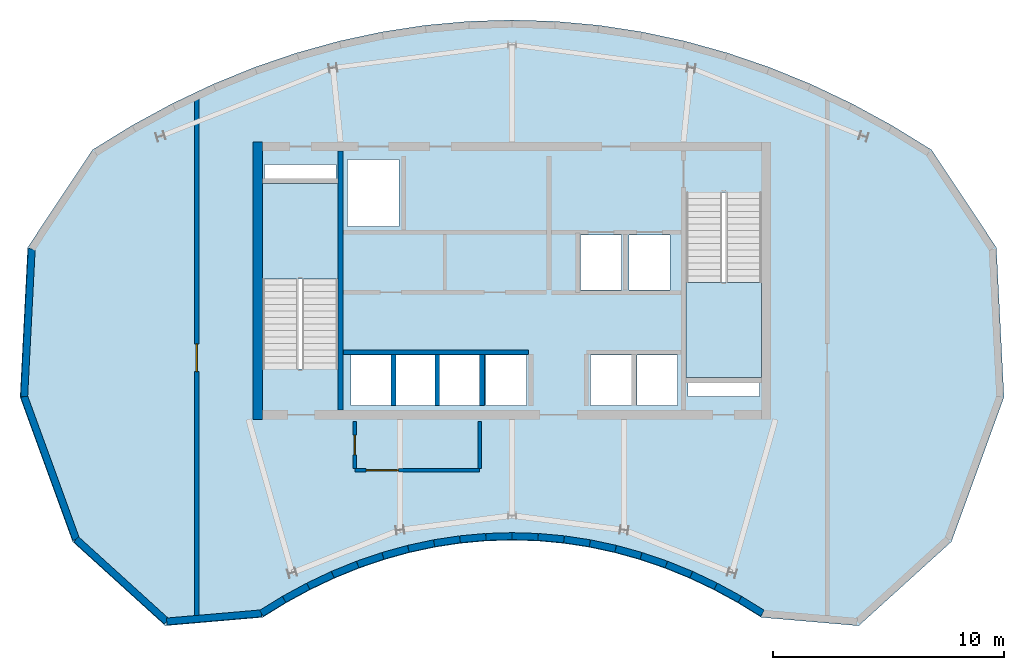
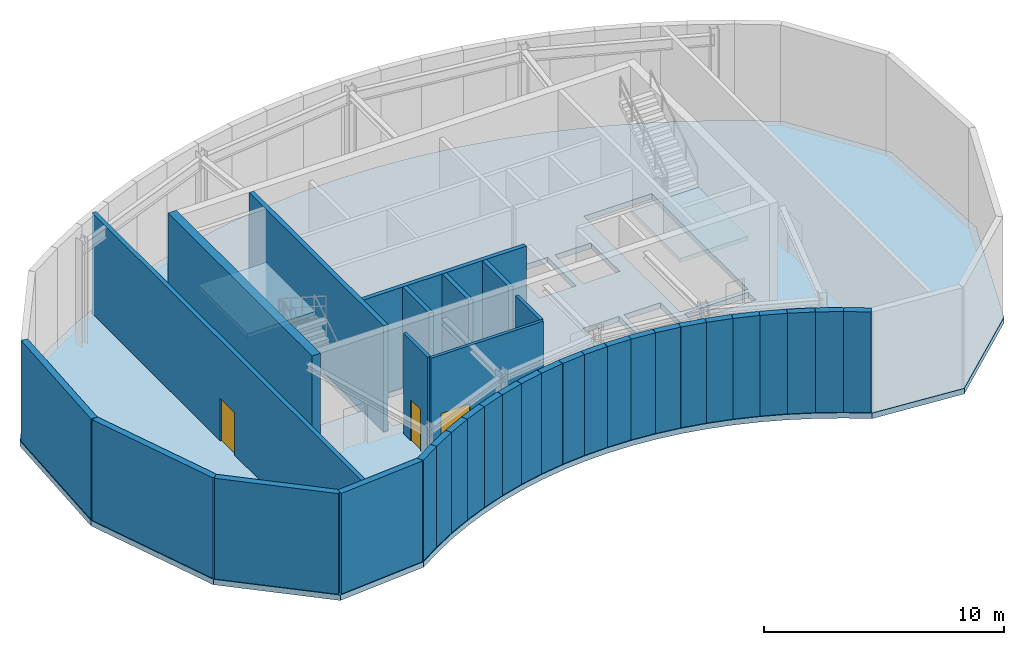
# One storey, part 2 of 5: 34 walls, 3 doors, 3 slabs, 3 openings, 2 elements without a shape of their own.
"""IFC4 building model written with IfcOpenShell, lengths in metres."""

from ifc_helpers import new_model, si_unit, direction, frame, frame_2d, origin, place, context, subcontext, project, spatial, polyline, rectangle, outline, extrude, source, transform, mapped, material, layer, layer_set, type_object, type_shapes, element, fill, aggregate, save


model = new_model("IFC4")

# Units and contexts
model_context = context("Model", 3, precision=1e-05, world=origin(), true_north=direction((0.0, 1.0)))
body_context = subcontext(model_context, "Body", "Model", "MODEL_VIEW")
ifc_project = project(units=[si_unit("LENGTHUNIT", "METRE"), si_unit("AREAUNIT", "SQUARE_METRE"), si_unit("VOLUMEUNIT", "CUBIC_METRE"), si_unit("PLANEANGLEUNIT", "RADIAN"), si_unit("MASSUNIT", "GRAM", prefix="KILO")], contexts=[model_context])

# Site, building, storey
site_placement = place(None, origin())
site = spatial("IfcSite", under=ifc_project, at=site_placement, CompositionType="ELEMENT")
building_placement = place(site_placement, origin())
building = spatial("IfcBuilding", under=site, at=building_placement, Name="Breltana Convention Tower", CompositionType="ELEMENT")
storey_placement = place(building_placement, frame((0.0, 0.0, 318.0)))
storey = spatial("IfcBuildingStorey", under=building, at=storey_placement, Name="L77", CompositionType="ELEMENT", Elevation=318.0)

# Slab
ifc_material_1 = material(Name="Concrete C40/50", Category="concrete")
ifc_layer_1 = layer(ifc_material_1, 0.280029296875, Name="Concrete C40/50")
ifc_layer_set_1 = layer_set([ifc_layer_1], Name="Concrete C40/50")
slab_type_1 = type_object("IfcSlabType", Name="SL-CRN-280", PredefinedType="FLOOR", material=ifc_layer_set_1)
slab_1_placement = place(storey_placement, frame((0.0, 0.0, -0.280029296875)))
element("IfcSlab", 1, at=slab_1_placement, inside=storey, type_object=slab_type_1, Name="L77 Suspended Structural Floor Slab", PredefinedType="FLOOR", context=body_context, shape_type="SweptSolid", body=[
    extrude(outline(polyline([(66.148681640625, 71.861572265625), (64.44189453125, 72.913330078125), (62.701416015625, 73.8603515625), (60.9306640625, 74.70068359375), (59.13330078125, 75.432373046875), (57.31298828125, 76.05419921875), (55.473388671875, 76.564697265625), (53.61865234375, 76.962646484375), (51.752197265625, 77.247802734375), (49.8779296875, 77.4189453125), (48.0, 77.47607421875), (46.1220703125, 77.4189453125), (44.247802734375, 77.247802734375), (42.38134765625, 76.962646484375), (40.526611328125, 76.564697265625), (38.68701171875, 76.05419921875), (36.86669921875, 75.432373046875), (35.0693359375, 74.70068359375), (33.298583984375, 73.8603515625), (31.55810546875, 72.913330078125), (29.851318359375, 71.861572265625), (27.041748046875, 67.63330078125), (26.711669921875, 61.156005859375), (28.9873046875, 54.9033203125), (32.999755859375, 51.263916015625), (37.216064453125, 51.627685546875), (38.230224609375, 52.2529296875), (39.264404296875, 52.815673828125), (40.316650390625, 53.31494140625), (41.384521484375, 53.749755859375), (42.46630859375, 54.119140625), (43.55908203125, 54.42236328125), (44.661376953125, 54.658935546875), (45.7705078125, 54.828369140625), (46.884033203125, 54.93017578125), (48.0, 54.964111328125), (49.115966796875, 54.93017578125), (50.2294921875, 54.828369140625), (51.338623046875, 54.658935546875), (52.44091796875, 54.42236328125), (53.53369140625, 54.119140625), (54.615478515625, 53.749755859375), (55.683349609375, 53.31494140625), (56.735595703125, 52.815673828125), (57.769775390625, 52.2529296875), (58.783935546875, 51.627685546875), (63.000244140625, 51.263916015625), (67.0126953125, 54.9033203125), (69.288330078125, 61.156005859375), (68.958251953125, 67.63330078125), (66.148681640625, 71.861572265625)]), holes=[polyline([(37.199951171875, 62.385009765625), (40.469970703125, 62.385009765625), (40.469970703125, 70.39990234375), (37.199951171875, 70.39990234375), (37.199951171875, 62.385009765625)]), polyline([(55.530029296875, 62.0), (58.800048828125, 62.0), (58.800048828125, 70.014892578125), (55.530029296875, 70.014892578125), (55.530029296875, 62.0)]), polyline([(41.0400390625, 60.800048828125), (42.800048828125, 60.800048828125), (42.800048828125, 62.97998046875), (41.0400390625, 62.97998046875), (41.0400390625, 60.800048828125)]), polyline([(42.93994140625, 60.800048828125), (44.699951171875, 60.800048828125), (44.699951171875, 62.97998046875), (42.93994140625, 62.97998046875), (42.93994140625, 60.800048828125)]), polyline([(44.8701171875, 60.800048828125), (46.6298828125, 60.800048828125), (46.6298828125, 62.97998046875), (44.8701171875, 62.97998046875), (44.8701171875, 60.800048828125)]), polyline([(46.8701171875, 60.800048828125), (48.6298828125, 60.800048828125), (48.6298828125, 62.97998046875), (46.8701171875, 62.97998046875), (46.8701171875, 60.800048828125)]), polyline([(51.39990234375, 60.800048828125), (53.159912109375, 60.800048828125), (53.159912109375, 62.97998046875), (51.39990234375, 62.97998046875), (51.39990234375, 60.800048828125)]), polyline([(53.39990234375, 60.800048828125), (55.159912109375, 60.800048828125), (55.159912109375, 62.97998046875), (53.39990234375, 62.97998046875), (53.39990234375, 60.800048828125)]), polyline([(50.969970703125, 65.800048828125), (52.72998046875, 65.800048828125), (52.72998046875, 68.179931640625), (50.969970703125, 68.179931640625), (50.969970703125, 65.800048828125)]), polyline([(53.070068359375, 65.800048828125), (54.830078125, 65.800048828125), (54.830078125, 68.179931640625), (53.070068359375, 68.179931640625), (53.070068359375, 65.800048828125)]), polyline([(40.8798828125, 68.550048828125), (43.1201171875, 68.550048828125), (43.1201171875, 71.449951171875), (40.8798828125, 71.449951171875), (40.8798828125, 68.550048828125)]), polyline([(37.300048828125, 70.60009765625), (40.3798828125, 70.60009765625), (40.3798828125, 71.219970703125), (37.300048828125, 71.219970703125), (37.300048828125, 70.60009765625)]), polyline([(55.6201171875, 61.179931640625), (58.699951171875, 61.179931640625), (58.699951171875, 61.800048828125), (55.6201171875, 61.800048828125), (55.6201171875, 61.179931640625)])]), origin(), (0.0, 0.0, 1.0), 0.280029296875),
])

# Stair, slab
stair_type = type_object("IfcStairType", Name="ST-DOG-1560-R180", PredefinedType="HALF_TURN_STAIR", material=ifc_material_1)
stair_1_placement = place(storey_placement, origin())
stair_1 = element("IfcStair", 2, at=stair_1_placement, inside=storey, type_object=stair_type, Name="L77 Protected Core Exit Stair ST-1", PredefinedType="HALF_TURN_STAIR")
ifc_layer_2 = layer(ifc_material_1, 0.199951171875, Name="Concrete C40/50")
ifc_layer_set_2 = layer_set([ifc_layer_2], Name="Concrete C40/50")
slab_type_2 = type_object("IfcSlabType", Name="SL-STAIR-LANDING-200", PredefinedType="LANDING", material=ifc_layer_set_2)
slab_2_placement = place(storey_placement, frame((0.0, 0.0, 2.5)))
slab_2 = element("IfcSlab", 3, at=slab_2_placement, type_object=slab_type_2, Name="ST-1 landing 1", PredefinedType="LANDING", context=body_context, shape_type="SweptSolid", body=[
    extrude(outline(polyline([(40.469970703125, 66.280029296875), (40.469970703125, 70.39990234375), (37.199951171875, 70.39990234375), (37.199951171875, 66.280029296875), (40.469970703125, 66.280029296875)])), origin(), (0.0, 0.0, 1.0), 0.199951171875),
])
aggregate(stair_1, [slab_2])

stair_2_placement = place(storey_placement, origin())
stair_2 = element("IfcStair", 4, at=stair_2_placement, inside=storey, type_object=stair_type, Name="L77 Protected Core Exit Stair ST-2", PredefinedType="HALF_TURN_STAIR")
slab_3_placement = place(storey_placement, frame((0.0, 0.0, 2.5)))
slab_3 = element("IfcSlab", 5, at=slab_3_placement, type_object=slab_type_2, Name="ST-2 landing 1", PredefinedType="LANDING", context=body_context, shape_type="SweptSolid", body=[
    extrude(outline(polyline([(55.530029296875, 66.1201171875), (55.530029296875, 62.0), (58.800048828125, 62.0), (58.800048828125, 66.1201171875), (55.530029296875, 66.1201171875)])), origin(), (0.0, 0.0, 1.0), 0.199951171875),
])
aggregate(stair_2, [slab_3])

# Walls
ifc_material_2 = material(Name="Concrete C50/60", Category="concrete")
ifc_layer_3 = layer(ifc_material_2, 0.39990234375, Name="Concrete C50/60")
ifc_layer_set_3 = layer_set([ifc_layer_3], Name="Concrete C50/60")
wall_type_1 = type_object("IfcWallType", Name="SW-CORE-400", PredefinedType="SHEAR", material=ifc_layer_set_3)
shared_shape_1 = source(origin(), body_context, "Body", "SweptSolid", [
    extrude(rectangle(XDim=12.0, YDim=0.39990234375, at=frame_2d((6.0, 0.0))), origin(), (0.0, 0.0, 1.0), 5.39990234375),
])
wall_1_placement = place(storey_placement, frame((37.0, 60.199951171875, 0.0), z_axis=(0.0, 0.0, 1.0), x_axis=(0.0, 1.0, 0.0)))
element("IfcWall", 6, at=wall_1_placement, inside=storey, type_object=wall_type_1, Name="L77 West Core Shear Wall", PredefinedType="SHEAR", context=body_context, shape_type="MappedRepresentation", body=[
    mapped(shared_shape_1, transform((0.0, 0.0, 0.0), scale=1.0)),
])
shared_shape_2 = source(origin(), body_context, "Body", "SweptSolid", [
    extrude(rectangle(XDim=11.199951171875, YDim=0.219970703125, at=frame_2d((5.60009765625, 0.0))), origin(), (0.0, 0.0, 1.0), 5.39990234375),
])
wall_2_placement = place(storey_placement, frame((40.580078125, 60.60009765625, 0.0), z_axis=(0.0, 0.0, 1.0), x_axis=(0.0, 1.0, 0.0)))
element("IfcWall", 7, at=wall_2_placement, inside=storey, type_object=wall_type_1, Name="L77 Core West Stair Spine Wall", PredefinedType="SHEAR", context=body_context, shape_type="MappedRepresentation", body=[
    mapped(shared_shape_2, transform((0.0, 0.0, 0.0), scale=1.0)),
])
ifc_material_3 = material(Name="Limestone Buff Insulated Wall", Category="masonry")
ifc_layer_4 = layer(ifc_material_3, 0.300048828125, Name="Limestone Buff Insulated Wall")
ifc_layer_set_4 = layer_set([ifc_layer_4], Name="Limestone Buff Insulated Wall")
wall_type_2 = type_object("IfcWallType", Name="WL-EXT-CRN-300", PredefinedType="SOLIDWALL", material=ifc_layer_set_4)
shared_shape_3 = source(origin(), body_context, "Body", "SweptSolid", [
    extrude(rectangle(XDim=6.39990234375, YDim=0.300048828125, at=frame_2d((3.199951171875, 0.0))), origin(), (0.0, 0.0, 1.0), 5.1201171875),
])
wall_3_placement = place(storey_placement, frame((26.893310546875, 61.183349609375, 0.0), z_axis=(0.0, 0.0, 1.0), x_axis=(0.050888906156, 0.998704320222, 0.0)))
element("IfcWall", 8, at=wall_3_placement, inside=storey, type_object=wall_type_2, Name="L77 mechanical limestone enclosure wall 48", PredefinedType="SOLIDWALL", context=body_context, shape_type="MappedRepresentation", body=[
    mapped(shared_shape_3, transform((0.0, 0.0, 0.0), scale=1.0)),
])
shared_shape_4 = source(origin(), body_context, "Body", "SweptSolid", [
    extrude(rectangle(XDim=6.572998046875, YDim=0.300048828125, at=frame_2d((3.28662109375, 0.0))), origin(), (0.0, 0.0, 1.0), 5.1201171875),
])
wall_4_placement = place(storey_placement, frame((29.141357421875, 55.0068359375, 0.0), z_axis=(0.0, 0.0, 1.0), x_axis=(-0.342017422465, 0.939693611094, 0.0)))
element("IfcWall", 9, at=wall_4_placement, inside=storey, type_object=wall_type_2, Name="L77 mechanical limestone enclosure wall 47", PredefinedType="SOLIDWALL", context=body_context, shape_type="MappedRepresentation", body=[
    mapped(shared_shape_4, transform((0.0, 0.0, 0.0), scale=1.0)),
])
shared_shape_5 = source(origin(), body_context, "Body", "SweptSolid", [
    extrude(rectangle(XDim=5.2939453125, YDim=0.300048828125, at=frame_2d((2.64697265625, 0.0))), origin(), (0.0, 0.0, 1.0), 5.1201171875),
])
wall_5_placement = place(storey_placement, frame((33.0625, 51.4501953125, 0.0), z_axis=(0.0, 0.0, 1.0), x_axis=(-0.740695017527, 0.671841418052, 0.0)))
element("IfcWall", 10, at=wall_5_placement, inside=storey, type_object=wall_type_2, Name="L77 mechanical limestone enclosure wall 46", PredefinedType="SOLIDWALL", context=body_context, shape_type="MappedRepresentation", body=[
    mapped(shared_shape_5, transform((0.0, 0.0, 0.0), scale=1.0)),
])
shared_shape_6 = source(origin(), body_context, "Body", "SweptSolid", [
    extrude(rectangle(XDim=4.110595703125, YDim=0.300048828125, at=frame_2d((2.05517578125, 0.0))), origin(), (0.0, 0.0, 1.0), 5.1201171875),
])
wall_6_placement = place(storey_placement, frame((37.157958984375, 51.803466796875, 0.0), z_axis=(0.0, 0.0, 1.0), x_axis=(-0.996300298771, -0.085940180764, 0.0)))
element("IfcWall", 11, at=wall_6_placement, inside=storey, type_object=wall_type_2, Name="L77 mechanical limestone enclosure wall 45", PredefinedType="SOLIDWALL", context=body_context, shape_type="MappedRepresentation", body=[
    mapped(shared_shape_6, transform((0.0, 0.0, 0.0), scale=1.0)),
])
shared_shape_7 = source(origin(), body_context, "Body", "SweptSolid", [
    extrude(rectangle(XDim=1.1484375, YDim=0.300048828125, at=frame_2d((0.57421875, 0.0))), origin(), (0.0, 0.0, 1.0), 5.1201171875),
])
for number, where, z_axis, x_axis, name in (
    (12, (58.842041015625, 51.803466796875, 0.0), (0.0, 0.0, 1.0), (-0.851337023233, 0.524619169373, 0.0), "L77 mechanical limestone enclosure wall 6"),
    (13, (38.1357421875, 52.406005859375, 0.0), (0.0, 0.0, 1.0), (-0.851337023233, -0.524619169373, 0.0), "L77 mechanical limestone enclosure wall 44"),
):
    element("IfcWall", number, at=place(storey_placement, frame(where, z_axis=z_axis, x_axis=x_axis)), inside=storey, type_object=wall_type_2, Name=name, PredefinedType="SOLIDWALL", context=body_context, shape_type="MappedRepresentation", body=[
        mapped(shared_shape_7, transform((0.0, 0.0, 0.0), scale=1.0)),
    ])
shared_shape_8 = source(origin(), body_context, "Body", "SweptSolid", [
    extrude(rectangle(XDim=1.177490234375, YDim=0.300048828125, at=frame_2d((0.5888671875, 0.0))), origin(), (0.0, 0.0, 1.0), 5.1201171875),
])
for number, where, z_axis, x_axis, name in (
    (14, (57.855712890625, 52.410888671875, 0.0), (0.0, 0.0, 1.0), (-0.878378526195, 0.477965652238, 0.0), "L77 mechanical limestone enclosure wall 8"),
    (15, (39.178466796875, 52.9736328125, 0.0), (0.0, 0.0, 1.0), (-0.878378526195, -0.477965652238, 0.0), "L77 mechanical limestone enclosure wall 42"),
):
    element("IfcWall", number, at=place(storey_placement, frame(where, z_axis=z_axis, x_axis=x_axis)), inside=storey, type_object=wall_type_2, Name=name, PredefinedType="SOLIDWALL", context=body_context, shape_type="MappedRepresentation", body=[
        mapped(shared_shape_8, transform((0.0, 0.0, 0.0), scale=1.0)),
    ])
shared_shape_9 = source(origin(), body_context, "Body", "SweptSolid", [
    extrude(rectangle(XDim=1.164794921875, YDim=0.300048828125, at=frame_2d((0.58251953125, 0.0))), origin(), (0.0, 0.0, 1.0), 5.1201171875),
])
for number, where, z_axis, x_axis, name in (
    (16, (56.812744140625, 52.978271484375, 0.0), (0.0, 0.0, 1.0), (-0.903460211476, 0.428671956489, 0.0), "L77 mechanical limestone enclosure wall 10"),
    (17, (40.239501953125, 53.4775390625, 0.0), (0.0, 0.0, 1.0), (-0.903460211476, -0.428671956489, 0.0), "L77 mechanical limestone enclosure wall 40"),
):
    element("IfcWall", number, at=place(storey_placement, frame(where, z_axis=z_axis, x_axis=x_axis)), inside=storey, type_object=wall_type_2, Name=name, PredefinedType="SOLIDWALL", context=body_context, shape_type="MappedRepresentation", body=[
        mapped(shared_shape_9, transform((0.0, 0.0, 0.0), scale=1.0)),
    ])
shared_shape_10 = source(origin(), body_context, "Body", "SweptSolid", [
    extrude(rectangle(XDim=1.153076171875, YDim=0.300048828125, at=frame_2d((0.57666015625, 0.0))), origin(), (0.0, 0.0, 1.0), 5.1201171875),
])
for number, where, z_axis, x_axis, name in (
    (18, (55.751220703125, 53.481689453125, 0.0), (0.0, 0.0, 1.0), (-0.926166327655, 0.377115278819, 0.0), "L77 mechanical limestone enclosure wall 12"),
    (19, (41.316650390625, 53.91650390625, 0.0), (0.0, 0.0, 1.0), (-0.926166327655, -0.377115278819, 0.0), "L77 mechanical limestone enclosure wall 38"),
):
    element("IfcWall", number, at=place(storey_placement, frame(where, z_axis=z_axis, x_axis=x_axis)), inside=storey, type_object=wall_type_2, Name=name, PredefinedType="SOLIDWALL", context=body_context, shape_type="MappedRepresentation", body=[
        mapped(shared_shape_10, transform((0.0, 0.0, 0.0), scale=1.0)),
    ])
shared_shape_11 = source(origin(), body_context, "Body", "SweptSolid", [
    extrude(rectangle(XDim=1.142822265625, YDim=0.300048828125, at=frame_2d((0.5712890625, 0.0))), origin(), (0.0, 0.0, 1.0), 5.1201171875),
])
for number, where, z_axis, x_axis, name in (
    (20, (54.673583984375, 53.919921875, 0.0), (0.0, 0.0, 1.0), (-0.946329141, 0.323204512491, 0.0), "L77 mechanical limestone enclosure wall 14"),
    (21, (42.407958984375, 54.289306640625, 0.0), (0.0, 0.0, 1.0), (-0.946329141, -0.323204512491, 0.0), "L77 mechanical limestone enclosure wall 36"),
):
    element("IfcWall", number, at=place(storey_placement, frame(where, z_axis=z_axis, x_axis=x_axis)), inside=storey, type_object=wall_type_2, Name=name, PredefinedType="SOLIDWALL", context=body_context, shape_type="MappedRepresentation", body=[
        mapped(shared_shape_11, transform((0.0, 0.0, 0.0), scale=1.0)),
    ])
shared_shape_12 = source(origin(), body_context, "Body", "SweptSolid", [
    extrude(rectangle(XDim=1.134033203125, YDim=0.300048828125, at=frame_2d((0.56689453125, 0.0))), origin(), (0.0, 0.0, 1.0), 5.1201171875),
])
for number, where, z_axis, x_axis, name in (
    (22, (53.581787109375, 54.29248046875, 0.0), (0.0, 0.0, 1.0), (-0.96359189445, 0.267377375538, 0.0), "L77 mechanical limestone enclosure wall 16"),
    (23, (43.510986328125, 54.595703125, 0.0), (0.0, 0.0, 1.0), (-0.96359189445, -0.267377375538, 0.0), "L77 mechanical limestone enclosure wall 34"),
):
    element("IfcWall", number, at=place(storey_placement, frame(where, z_axis=z_axis, x_axis=x_axis)), inside=storey, type_object=wall_type_2, Name=name, PredefinedType="SOLIDWALL", context=body_context, shape_type="MappedRepresentation", body=[
        mapped(shared_shape_12, transform((0.0, 0.0, 0.0), scale=1.0)),
    ])
shared_shape_13 = source(origin(), body_context, "Body", "SweptSolid", [
    extrude(rectangle(XDim=1.127197265625, YDim=0.300048828125, at=frame_2d((0.5634765625, 0.0))), origin(), (0.0, 0.0, 1.0), 5.1201171875),
])
for number, where, z_axis, x_axis, name in (
    (24, (52.478515625, 54.598388671875, 0.0), (0.0, 0.0, 1.0), (-0.977726275961, 0.20988408538, 0.0), "L77 mechanical limestone enclosure wall 18"),
    (25, (44.62353515625, 54.8349609375, 0.0), (0.0, 0.0, 1.0), (-0.977726275961, -0.20988408538, 0.0), "L77 mechanical limestone enclosure wall 32"),
):
    element("IfcWall", number, at=place(storey_placement, frame(where, z_axis=z_axis, x_axis=x_axis)), inside=storey, type_object=wall_type_2, Name=name, PredefinedType="SOLIDWALL", context=body_context, shape_type="MappedRepresentation", body=[
        mapped(shared_shape_13, transform((0.0, 0.0, 0.0), scale=1.0)),
    ])
shared_shape_14 = source(origin(), body_context, "Body", "SweptSolid", [
    extrude(rectangle(XDim=1.121826171875, YDim=0.300048828125, at=frame_2d((0.56103515625, 0.0))), origin(), (0.0, 0.0, 1.0), 5.1201171875),
])
for number, where, z_axis, x_axis, name in (
    (26, (51.36572265625, 54.8369140625, 0.0), (0.0, 0.0, 1.0), (-0.98855964909, 0.150830435231, 0.0), "L77 mechanical limestone enclosure wall 20"),
    (27, (45.7431640625, 55.006103515625, 0.0), (0.0, 0.0, 1.0), (-0.98855964909, -0.150830435231, 0.0), "L77 mechanical limestone enclosure wall 30"),
):
    element("IfcWall", number, at=place(storey_placement, frame(where, z_axis=z_axis, x_axis=x_axis)), inside=storey, type_object=wall_type_2, Name=name, PredefinedType="SOLIDWALL", context=body_context, shape_type="MappedRepresentation", body=[
        mapped(shared_shape_14, transform((0.0, 0.0, 0.0), scale=1.0)),
    ])
shared_shape_15 = source(origin(), body_context, "Body", "SweptSolid", [
    extrude(rectangle(XDim=1.118408203125, YDim=0.300048828125, at=frame_2d((0.55908203125, 0.0))), origin(), (0.0, 0.0, 1.0), 5.1201171875),
])
for number, where, z_axis, x_axis, name in (
    (28, (50.24609375, 55.007568359375, 0.0), (0.0, 0.0, 1.0), (-0.995848352933, 0.091027786754, 0.0), "L77 mechanical limestone enclosure wall 22"),
    (29, (46.86767578125, 55.109375, 0.0), (0.0, 0.0, 1.0), (-0.995848352933, -0.091027786754, 0.0), "L77 mechanical limestone enclosure wall 28"),
):
    element("IfcWall", number, at=place(storey_placement, frame(where, z_axis=z_axis, x_axis=x_axis)), inside=storey, type_object=wall_type_2, Name=name, PredefinedType="SOLIDWALL", context=body_context, shape_type="MappedRepresentation", body=[
        mapped(shared_shape_15, transform((0.0, 0.0, 0.0), scale=1.0)),
    ])
shared_shape_16 = source(origin(), body_context, "Body", "SweptSolid", [
    extrude(rectangle(XDim=1.1162109375, YDim=0.300048828125, at=frame_2d((0.55810546875, 0.0))), origin(), (0.0, 0.0, 1.0), 5.1201171875),
])
for number, where, z_axis, x_axis, name in (
    (30, (49.121337890625, 55.110107421875, 0.0), (0.0, 0.0, 1.0), (-0.99954438408, 0.030183178338, 0.0), "L77 mechanical limestone enclosure wall 24"),
    (31, (47.994384765625, 55.143798828125, 0.0), (0.0, 0.0, 1.0), (-0.99954438408, -0.030183178338, 0.0), "L77 mechanical limestone enclosure wall 26"),
):
    element("IfcWall", number, at=place(storey_placement, frame(where, z_axis=z_axis, x_axis=x_axis)), inside=storey, type_object=wall_type_2, Name=name, PredefinedType="SOLIDWALL", context=body_context, shape_type="MappedRepresentation", body=[
        mapped(shared_shape_16, transform((0.0, 0.0, 0.0), scale=1.0)),
    ])
ifc_material_4 = material(Name="Autoclaved Aerated Concrete Block", Category="concrete")
ifc_layer_5 = layer(ifc_material_4, 0.199951171875, Name="Autoclaved Aerated Concrete Block")
ifc_layer_set_5 = layer_set([ifc_layer_5], Name="Autoclaved Aerated Concrete Block")
wall_type_3 = type_object("IfcWallType", Name="WL-SHAFT-200", PredefinedType="SOLIDWALL", material=ifc_layer_set_5)
shared_shape_17 = source(origin(), body_context, "Body", "SweptSolid", [
    extrude(rectangle(XDim=8.02001953125, YDim=0.199951171875, at=frame_2d((4.010009765625, 0.0))), origin(), (0.0, 0.0, 1.0), 5.1201171875),
])
wall_7_placement = place(storey_placement, frame((40.699951171875, 63.10009765625, 0.0), z_axis=(0.0, 0.0, 1.0), x_axis=(1.0, 0.0, 0.0)))
element("IfcWall", 32, at=wall_7_placement, inside=storey, type_object=wall_type_3, Name="L77 interior partition W-L77-SH-S-FRONT", PredefinedType="SOLIDWALL", context=body_context, shape_type="MappedRepresentation", body=[
    mapped(shared_shape_17, transform((0.0, 0.0, 0.0), scale=1.0)),
])
shared_shape_18 = source(origin(), body_context, "Body", "SweptSolid", [
    extrude(rectangle(XDim=2.199951171875, YDim=0.199951171875, at=frame_2d((1.10009765625, 0.0))), origin(), (0.0, 0.0, 1.0), 5.1201171875),
])
for number, where, z_axis, x_axis, name in (
    (33, (42.8701171875, 60.800048828125, 0.0), (0.0, 0.0, 1.0), (0.0, 1.0, 0.0), "L77 interior partition W-L77-SH-S-DIV1"),
    (34, (44.77001953125, 60.800048828125, 0.0), (0.0, 0.0, 1.0), (0.0, 1.0, 0.0), "L77 interior partition W-L77-SH-S-DIV2"),
    (35, (46.699951171875, 60.800048828125, 0.0), (0.0, 0.0, 1.0), (0.0, 1.0, 0.0), "L77 interior partition W-L77-SH-S-DIV3"),
):
    element("IfcWall", number, at=place(storey_placement, frame(where, z_axis=z_axis, x_axis=x_axis)), inside=storey, type_object=wall_type_3, Name=name, PredefinedType="SOLIDWALL", context=body_context, shape_type="MappedRepresentation", body=[
        mapped(shared_shape_18, transform((0.0, 0.0, 0.0), scale=1.0)),
    ])

# Wall, opening, door
ifc_material_5 = material(Name="Gypsum Acoustic Drywall Partition")
ifc_layer_6 = layer(ifc_material_5, 0.14990234375, Name="Gypsum Acoustic Drywall Partition")
ifc_layer_set_6 = layer_set([ifc_layer_6], Name="Gypsum Acoustic Drywall Partition")
wall_type_4 = type_object("IfcWallType", Name="WL-PART-150", PredefinedType="PARTITIONING", material=ifc_layer_set_6)
shared_shape_19 = source(origin(), body_context, "Body", "SweptSolid", [
    extrude(rectangle(XDim=5.400146484375, YDim=0.14990234375, at=frame_2d((2.7001953125, 0.0))), origin(), (0.0, 0.0, 1.0), 5.1201171875),
])
wall_8_placement = place(storey_placement, frame((41.199951171875, 58.0, 0.0), z_axis=(0.0, 0.0, 1.0), x_axis=(1.0, 0.0, 0.0)))
wall_8 = element("IfcWall", 36, at=wall_8_placement, inside=storey, type_object=wall_type_4, Name="L77 interior partition W-L77-CRSC-S", PredefinedType="PARTITIONING", context=body_context, shape_type="MappedRepresentation", body=[
    mapped(shared_shape_19, transform((0.0, 0.0, 0.0), scale=1.0)),
])
opening_1_placement = place(wall_8_placement, frame((0.488037109375, 0.0, 0.0)))
opening_1 = element("IfcOpeningElement", 37, at=opening_1_placement, cuts=wall_8, Name="Opening D-06", PredefinedType="OPENING", context=body_context, shape_type="SweptSolid", body=[
    extrude(rectangle(XDim=1.39990234375, YDim=2.14990234375, at=frame_2d((0.699951171875, 1.074951171875))), frame((0.0, 0.0849609375, 0.0), z_axis=(0.0, -1.0, 0.0), x_axis=(1.0, 0.0, 0.0)), (0.0, 0.0, 1.0), 0.169921875),
])
ifc_material_6 = material(Name="Steel Louvred Fire Plant Door", Category="steel")
door_type_1 = type_object("IfcDoorType", Name="DR-PLT-1400", OperationType="DOUBLE_DOOR_SINGLE_SWING", PredefinedType="DOOR", material=ifc_material_6)
shared_shape_20 = source(origin(), body_context, "Body", "SweptSolid", [
    extrude(rectangle(XDim=1.39990234375, YDim=2.14990234375, at=frame_2d((0.699951171875, 1.074951171875))), frame((0.0, 0.02490234375, 0.0), z_axis=(0.0, -1.0, 0.0), x_axis=(1.0, 0.0, 0.0)), (0.0, 0.0, 1.0), 0.050048828125),
])
type_shapes(door_type_1, [shared_shape_20])
door_1_placement = place(opening_1_placement, origin())
door_1 = element("IfcDoor", 38, at=door_1_placement, inside=storey, type_object=door_type_1, Name="L77 interior door D-L77-CPLS", OperationType="SINGLE_SWING_LEFT", OverallHeight=2.14990234375, OverallWidth=1.39990234375, PredefinedType="DOOR", context=body_context, shape_type="MappedRepresentation", body=[
    mapped(shared_shape_20, transform((0.0, 0.0, 0.0), scale=1.0)),
])
fill(opening_1, door_1)

shared_shape_21 = source(origin(), body_context, "Body", "SweptSolid", [
    extrude(rectangle(XDim=2.03271484375, YDim=0.14990234375, at=frame_2d((1.016357421875, 0.0))), origin(), (0.0, 0.0, 1.0), 5.1201171875),
])
wall_9_placement = place(storey_placement, frame((41.199951171875, 58.0673828125, 0.0), z_axis=(0.0, 0.0, 1.0), x_axis=(0.0, 1.0, 0.0)))
wall_9 = element("IfcWall", 39, at=wall_9_placement, inside=storey, type_object=wall_type_4, Name="L77 interior partition W-L77-CRSC-W", PredefinedType="PARTITIONING", context=body_context, shape_type="MappedRepresentation", body=[
    mapped(shared_shape_21, transform((0.0, 0.0, 0.0), scale=1.0)),
])
opening_2_placement = place(wall_9_placement, frame((0.59130859375, 0.0, 0.0)))
opening_2 = element("IfcOpeningElement", 40, at=opening_2_placement, cuts=wall_9, Name="Opening D-20", PredefinedType="OPENING", context=body_context, shape_type="SweptSolid", body=[
    extrude(rectangle(XDim=0.85009765625, YDim=2.10009765625, at=frame_2d((0.425048828125, 1.050048828125))), frame((0.0, 0.0849609375, 0.0), z_axis=(0.0, -1.0, 0.0), x_axis=(1.0, 0.0, 0.0)), (0.0, 0.0, 1.0), 0.169921875),
])
ifc_material_7 = material(Name="Steel Closet Fire Door", Category="steel")
door_type_2 = type_object("IfcDoorType", Name="DR-FD60-850", OperationType="NOTDEFINED", PredefinedType="DOOR", material=ifc_material_7)
shared_shape_22 = source(origin(), body_context, "Body", "SweptSolid", [
    extrude(rectangle(XDim=0.85009765625, YDim=2.10009765625, at=frame_2d((0.425048828125, 1.050048828125))), frame((0.0, 0.02490234375, 0.0), z_axis=(0.0, -1.0, 0.0), x_axis=(1.0, 0.0, 0.0)), (0.0, 0.0, 1.0), 0.050048828125),
])
type_shapes(door_type_2, [shared_shape_22])
door_2_placement = place(opening_2_placement, origin())
door_2 = element("IfcDoor", 41, at=door_2_placement, inside=storey, type_object=door_type_2, Name="L77 interior door D-L77-CRSC", OperationType="SINGLE_SWING_RIGHT", OverallHeight=2.10009765625, OverallWidth=0.85009765625, PredefinedType="DOOR", context=body_context, shape_type="MappedRepresentation", body=[
    mapped(shared_shape_22, transform((0.0, 0.0, 0.0), scale=1.0)),
])
fill(opening_2, door_2)

# Wall
wall_10_placement = place(storey_placement, frame((46.60009765625, 58.0673828125, 0.0), z_axis=(0.0, 0.0, 1.0), x_axis=(0.0, 1.0, 0.0)))
element("IfcWall", 42, at=wall_10_placement, inside=storey, type_object=wall_type_4, Name="L77 interior partition W-L77-CRSC-E", PredefinedType="PARTITIONING", context=body_context, shape_type="MappedRepresentation", body=[
    mapped(shared_shape_21, transform((0.0, 0.0, 0.0), scale=1.0)),
])

# Wall, opening, door
shared_shape_23 = source(origin(), body_context, "Body", "SweptSolid", [
    extrude(rectangle(XDim=22.581787109375, YDim=0.199951171875, at=frame_2d((11.291015625, 0.0))), origin(), (0.0, 0.0, 1.0), 5.1201171875),
])
wall_11_placement = place(storey_placement, frame((34.360107421875, 51.572021484375, 0.0), z_axis=(0.0, 0.0, 1.0), x_axis=(0.0, 1.0, 0.0)))
wall_11 = element("IfcWall", 43, at=wall_11_placement, inside=storey, type_object=wall_type_3, Name="L77 interior partition W-L77-CPL-W", PredefinedType="SOLIDWALL", context=body_context, shape_type="MappedRepresentation", body=[
    mapped(shared_shape_23, transform((0.0, 0.0, 0.0), scale=1.0)),
])
opening_3_placement = place(wall_11_placement, frame((10.69091796875, 0.0, 0.0)))
opening_3 = element("IfcOpeningElement", 44, at=opening_3_placement, cuts=wall_11, Name="Opening D-09", PredefinedType="OPENING", context=body_context, shape_type="SweptSolid", body=[
    extrude(rectangle(XDim=1.199951171875, YDim=2.14990234375, at=frame_2d((0.60009765625, 1.074951171875))), frame((0.0, 0.10986328125, 0.0), z_axis=(0.0, -1.0, 0.0), x_axis=(1.0, 0.0, 0.0)), (0.0, 0.0, 1.0), 0.219970703125),
])
ifc_material_8 = material(Name="Steel Fire Lobby Door", Category="steel")
door_type_3 = type_object("IfcDoorType", Name="DR-FD120-1200", OperationType="NOTDEFINED", PredefinedType="DOOR", material=ifc_material_8)
shared_shape_24 = source(origin(), body_context, "Body", "SweptSolid", [
    extrude(rectangle(XDim=1.199951171875, YDim=2.14990234375, at=frame_2d((0.60009765625, 1.074951171875))), frame((0.0, 0.02490234375, 0.0), z_axis=(0.0, -1.0, 0.0), x_axis=(1.0, 0.0, 0.0)), (0.0, 0.0, 1.0), 0.050048828125),
])
type_shapes(door_type_3, [shared_shape_24])
door_3_placement = place(opening_3_placement, origin())
door_3 = element("IfcDoor", 45, at=door_3_placement, inside=storey, type_object=door_type_3, Name="L77 interior door D-L77-CPLW", OperationType="SINGLE_SWING_LEFT", OverallHeight=2.14990234375, OverallWidth=1.199951171875, PredefinedType="DOOR", context=body_context, shape_type="MappedRepresentation", body=[
    mapped(shared_shape_24, transform((0.0, 0.0, 0.0), scale=1.0)),
])
fill(opening_3, door_3)

save(model, "model.ifc")
